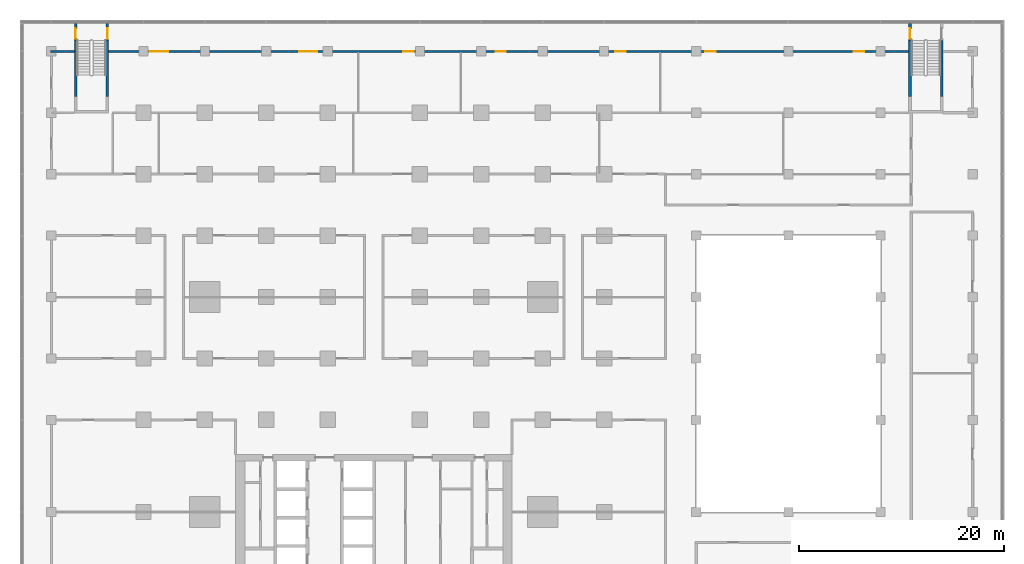
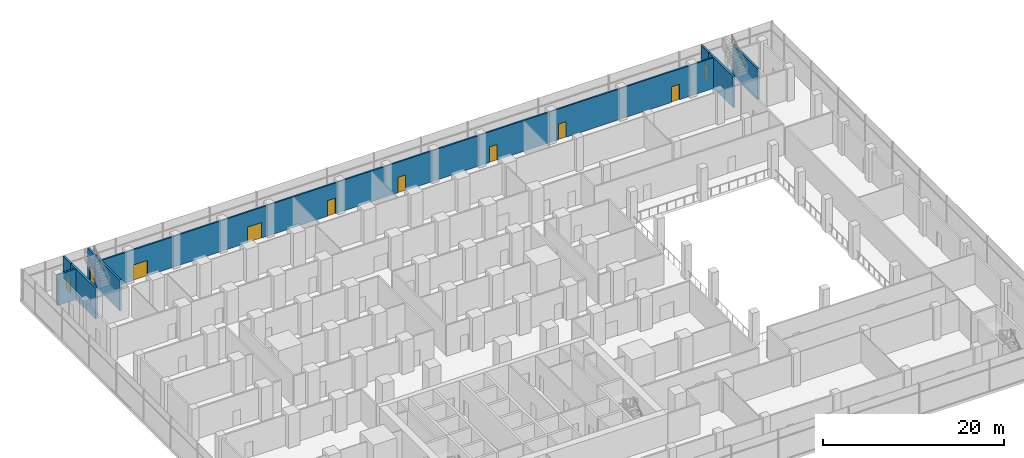
# One storey, part 18 of 22: 10 doors, 9 walls, 10 openings.
"""IFC4 building model written with IfcOpenShell, lengths in metres."""

from ifc_helpers import new_model, si_unit, direction, frame, frame_2d, origin, place, context, subcontext, project, spatial, rectangle, extrude, material, layer, layer_set, type_object, element, fill, save


model = new_model("IFC4")

# Units and contexts
model_context = context("Model", 3, precision=1e-05, world=origin(), true_north=direction((0.0, 1.0)))
body_context = subcontext(model_context, "Body", "Model", "MODEL_VIEW")
ifc_project = project(units=[si_unit("LENGTHUNIT", "METRE"), si_unit("AREAUNIT", "SQUARE_METRE"), si_unit("VOLUMEUNIT", "CUBIC_METRE"), si_unit("PLANEANGLEUNIT", "RADIAN"), si_unit("MASSUNIT", "GRAM", prefix="KILO")], contexts=[model_context])

# Site, building, storey
site_placement = place(None, origin())
site = spatial("IfcSite", under=ifc_project, at=site_placement, CompositionType="ELEMENT")
building_placement = place(site_placement, origin())
building = spatial("IfcBuilding", under=site, at=building_placement, Name="Finial Court Residences", CompositionType="ELEMENT")
storey_placement = place(building_placement, frame((0.0, 0.0, 23.5)))
storey = spatial("IfcBuildingStorey", under=building, at=storey_placement, Name="L04", CompositionType="ELEMENT", Elevation=23.5)

# Wall
ifc_material_1 = material(Name="Gypsum board")
ifc_layer_1 = layer(ifc_material_1, 0.02490234375)
ifc_material_2 = material(Name="Acoustic mineral wool in double frame")
ifc_layer_2 = layer(ifc_material_2, 0.14990234375)
ifc_layer_3 = layer(ifc_material_1, 0.02490234375)
ifc_layer_set_1 = layer_set([ifc_layer_1, ifc_layer_2, ifc_layer_3], Name="Corridor wall 200, 1 hour")
wall_type_1 = type_object("IfcWallType", Name="Corridor wall 200, 1 hour", PredefinedType="PARTITIONING", material=ifc_layer_set_1)
wall_1_placement = place(storey_placement, frame((-31.60009765625, 31.5, 0.0), z_axis=(0.0, 0.0, 1.0), x_axis=(1.0, 0.0, 0.0)))
element("IfcWall", 1, at=wall_1_placement, inside=storey, type_object=wall_type_1, Name="Partition L04-037", PredefinedType="PARTITIONING", context=body_context, shape_type="SweptSolid", body=[
    extrude(rectangle(XDim=2.35009765625, YDim=0.199951171875, at=frame_2d((1.175048828125, 0.0))), origin(), (0.0, 0.0, 1.0), 4.14990234375),
])

# Wall, openings, doors
wall_2_placement = place(storey_placement, frame((-25.89990234375, 31.5, 0.0), z_axis=(0.0, 0.0, 1.0), x_axis=(1.0, 0.0, 0.0)))
wall_2 = element("IfcWall", 2, at=wall_2_placement, inside=storey, type_object=wall_type_1, Name="Partition L04-038", PredefinedType="PARTITIONING", context=body_context, shape_type="SweptSolid", body=[
    extrude(rectangle(XDim=78.14990234375, YDim=0.199951171875, at=frame_2d((39.074951171875, 0.0))), origin(), (0.0, 0.0, 1.0), 4.14990234375),
])
opening_1_placement = place(wall_2_placement, frame((4.0, 0.0, 0.0)))
opening_1 = element("IfcOpeningElement", 3, at=opening_1_placement, cuts=wall_2, Name="Opening L04-D038", PredefinedType="OPENING", context=body_context, shape_type="SweptSolid", body=[
    extrude(rectangle(XDim=1.800048828125, YDim=2.10009765625, at=frame_2d((0.89990234375, 1.050048828125))), frame((0.0, 0.10986328125, 0.0), z_axis=(0.0, -1.0, 0.0), x_axis=(1.0, 0.0, 0.0)), (0.0, 0.0, 1.0), 0.219970703125),
])
opening_2_placement = place(wall_2_placement, frame((18.60009765625, 0.0, 0.0)))
opening_2 = element("IfcOpeningElement", 4, at=opening_2_placement, cuts=wall_2, Name="Opening L04-D039", PredefinedType="OPENING", context=body_context, shape_type="SweptSolid", body=[
    extrude(rectangle(XDim=1.800048828125, YDim=2.10009765625, at=frame_2d((0.89990234375, 1.050048828125))), frame((0.0, 0.10986328125, 0.0), z_axis=(0.0, -1.0, 0.0), x_axis=(1.0, 0.0, 0.0)), (0.0, 0.0, 1.0), 0.219970703125),
])
opening_3_placement = place(wall_2_placement, frame((28.800048828125, 0.0, 0.0)))
opening_3 = element("IfcOpeningElement", 5, at=opening_3_placement, cuts=wall_2, Name="Opening L04-D040", PredefinedType="OPENING", context=body_context, shape_type="SweptSolid", body=[
    extrude(rectangle(XDim=1.0, YDim=2.10009765625, at=frame_2d((0.5, 1.050048828125))), frame((0.0, 0.10986328125, 0.0), z_axis=(0.0, -1.0, 0.0), x_axis=(1.0, 0.0, 0.0)), (0.0, 0.0, 1.0), 0.219970703125),
])
opening_4_placement = place(wall_2_placement, frame((37.800048828125, 0.0, 0.0)))
opening_4 = element("IfcOpeningElement", 6, at=opening_4_placement, cuts=wall_2, Name="Opening L04-D041", PredefinedType="OPENING", context=body_context, shape_type="SweptSolid", body=[
    extrude(rectangle(XDim=1.0, YDim=2.10009765625, at=frame_2d((0.5, 1.050048828125))), frame((0.0, 0.10986328125, 0.0), z_axis=(0.0, -1.0, 0.0), x_axis=(1.0, 0.0, 0.0)), (0.0, 0.0, 1.0), 0.219970703125),
])
opening_5_placement = place(wall_2_placement, frame((49.5, 0.0, 0.0)))
opening_5 = element("IfcOpeningElement", 7, at=opening_5_placement, cuts=wall_2, Name="Opening L04-D042", PredefinedType="OPENING", context=body_context, shape_type="SweptSolid", body=[
    extrude(rectangle(XDim=1.0, YDim=2.10009765625, at=frame_2d((0.5, 1.050048828125))), frame((0.0, 0.10986328125, 0.0), z_axis=(0.0, -1.0, 0.0), x_axis=(1.0, 0.0, 0.0)), (0.0, 0.0, 1.0), 0.219970703125),
])
opening_6_placement = place(wall_2_placement, frame((58.300048828125, 0.0, 0.0)))
opening_6 = element("IfcOpeningElement", 8, at=opening_6_placement, cuts=wall_2, Name="Opening L04-D043", PredefinedType="OPENING", context=body_context, shape_type="SweptSolid", body=[
    extrude(rectangle(XDim=1.0, YDim=2.10009765625, at=frame_2d((0.5, 1.050048828125))), frame((0.0, 0.10986328125, 0.0), z_axis=(0.0, -1.0, 0.0), x_axis=(1.0, 0.0, 0.0)), (0.0, 0.0, 1.0), 0.219970703125),
])
opening_7_placement = place(wall_2_placement, frame((72.800048828125, 0.0, 0.0)))
opening_7 = element("IfcOpeningElement", 9, at=opening_7_placement, cuts=wall_2, Name="Opening L04-D044", PredefinedType="OPENING", context=body_context, shape_type="SweptSolid", body=[
    extrude(rectangle(XDim=1.0, YDim=2.10009765625, at=frame_2d((0.5, 1.050048828125))), frame((0.0, 0.10986328125, 0.0), z_axis=(0.0, -1.0, 0.0), x_axis=(1.0, 0.0, 0.0)), (0.0, 0.0, 1.0), 0.219970703125),
])
ifc_material_3 = material(Name="Timber door leaf in hollow metal frame", Category="wood")
door_type_1 = type_object("IfcDoorType", Name="Fire door set 1000 x 2100, 30 minutes", OperationType="SINGLE_SWING_LEFT", PredefinedType="DOOR", material=ifc_material_3)
door_1_placement = place(opening_3_placement, origin())
door_1 = element("IfcDoor", 10, at=door_1_placement, inside=storey, type_object=door_type_1, Name="Door L04-D040", OperationType="SINGLE_SWING_LEFT", OverallHeight=2.10009765625, OverallWidth=1.0, PredefinedType="DOOR", context=body_context, shape_type="SweptSolid", body=[
    extrude(rectangle(XDim=1.0, YDim=2.10009765625, at=frame_2d((0.5, 1.050048828125))), frame((0.0, 0.02490234375, 0.0), z_axis=(0.0, -1.0, 0.0), x_axis=(1.0, 0.0, 0.0)), (0.0, 0.0, 1.0), 0.050048828125),
])
fill(opening_3, door_1)
door_2_placement = place(opening_4_placement, origin())
door_2 = element("IfcDoor", 11, at=door_2_placement, inside=storey, type_object=door_type_1, Name="Door L04-D041", OperationType="SINGLE_SWING_LEFT", OverallHeight=2.10009765625, OverallWidth=1.0, PredefinedType="DOOR", context=body_context, shape_type="SweptSolid", body=[
    extrude(rectangle(XDim=1.0, YDim=2.10009765625, at=frame_2d((0.5, 1.050048828125))), frame((0.0, 0.02490234375, 0.0), z_axis=(0.0, -1.0, 0.0), x_axis=(1.0, 0.0, 0.0)), (0.0, 0.0, 1.0), 0.050048828125),
])
fill(opening_4, door_2)
door_3_placement = place(opening_5_placement, origin())
door_3 = element("IfcDoor", 12, at=door_3_placement, inside=storey, type_object=door_type_1, Name="Door L04-D042", OperationType="SINGLE_SWING_RIGHT", OverallHeight=2.10009765625, OverallWidth=1.0, PredefinedType="DOOR", context=body_context, shape_type="SweptSolid", body=[
    extrude(rectangle(XDim=1.0, YDim=2.10009765625, at=frame_2d((0.5, 1.050048828125))), frame((0.0, 0.02490234375, 0.0), z_axis=(0.0, -1.0, 0.0), x_axis=(1.0, 0.0, 0.0)), (0.0, 0.0, 1.0), 0.050048828125),
])
fill(opening_5, door_3)
door_4_placement = place(opening_6_placement, origin())
door_4 = element("IfcDoor", 13, at=door_4_placement, inside=storey, type_object=door_type_1, Name="Door L04-D043", OperationType="SINGLE_SWING_RIGHT", OverallHeight=2.10009765625, OverallWidth=1.0, PredefinedType="DOOR", context=body_context, shape_type="SweptSolid", body=[
    extrude(rectangle(XDim=1.0, YDim=2.10009765625, at=frame_2d((0.5, 1.050048828125))), frame((0.0, 0.02490234375, 0.0), z_axis=(0.0, -1.0, 0.0), x_axis=(1.0, 0.0, 0.0)), (0.0, 0.0, 1.0), 0.050048828125),
])
fill(opening_6, door_4)
door_5_placement = place(opening_7_placement, origin())
door_5 = element("IfcDoor", 14, at=door_5_placement, inside=storey, type_object=door_type_1, Name="Door L04-D044", OperationType="SINGLE_SWING_RIGHT", OverallHeight=2.10009765625, OverallWidth=1.0, PredefinedType="DOOR", context=body_context, shape_type="SweptSolid", body=[
    extrude(rectangle(XDim=1.0, YDim=2.10009765625, at=frame_2d((0.5, 1.050048828125))), frame((0.0, 0.02490234375, 0.0), z_axis=(0.0, -1.0, 0.0), x_axis=(1.0, 0.0, 0.0)), (0.0, 0.0, 1.0), 0.050048828125),
])
fill(opening_7, door_5)
door_type_2 = type_object("IfcDoorType", Name="Fire door set 1800 x 2100, 30 minutes", OperationType="DOUBLE_DOOR_SINGLE_SWING", PredefinedType="DOOR", material=ifc_material_3)
door_6_placement = place(opening_1_placement, origin())
door_6 = element("IfcDoor", 15, at=door_6_placement, inside=storey, type_object=door_type_2, Name="Door L04-D038", OperationType="DOUBLE_DOOR_SINGLE_SWING", OverallHeight=2.10009765625, OverallWidth=1.800048828125, PredefinedType="DOOR", context=body_context, shape_type="SweptSolid", body=[
    extrude(rectangle(XDim=1.800048828125, YDim=2.10009765625, at=frame_2d((0.89990234375, 1.050048828125))), frame((0.0, 0.02490234375, 0.0), z_axis=(0.0, -1.0, 0.0), x_axis=(1.0, 0.0, 0.0)), (0.0, 0.0, 1.0), 0.050048828125),
])
fill(opening_1, door_6)
door_7_placement = place(opening_2_placement, origin())
door_7 = element("IfcDoor", 16, at=door_7_placement, inside=storey, type_object=door_type_2, Name="Door L04-D039", OperationType="DOUBLE_DOOR_SINGLE_SWING", OverallHeight=2.10009765625, OverallWidth=1.800048828125, PredefinedType="DOOR", context=body_context, shape_type="SweptSolid", body=[
    extrude(rectangle(XDim=1.800048828125, YDim=2.10009765625, at=frame_2d((0.89990234375, 1.050048828125))), frame((0.0, 0.02490234375, 0.0), z_axis=(0.0, -1.0, 0.0), x_axis=(1.0, 0.0, 0.0)), (0.0, 0.0, 1.0), 0.050048828125),
])
fill(opening_2, door_7)

# Wall, opening, door
ifc_material_4 = material(Name="Concrete C50/60", Category="concrete")
ifc_layer_4 = layer(ifc_material_4, 0.25)
ifc_layer_set_2 = layer_set([ifc_layer_4], Name="Stair enclosure wall 250 Concrete C50/60")
wall_type_2 = type_object("IfcWallType", Name="Stair enclosure wall 250 Concrete C50/60", PredefinedType="SHEAR", material=ifc_layer_set_2)
wall_3_placement = place(storey_placement, frame((52.375, 34.239990234375, 0.0), z_axis=(0.0, 0.0, 1.0), x_axis=(0.0, -1.0, 0.0)))
wall_3 = element("IfcWall", 17, at=wall_3_placement, inside=storey, type_object=wall_type_2, Name="Exit Stair 5 enclosure wall L04-W1", PredefinedType="SHEAR", context=body_context, shape_type="SweptSolid", body=[
    extrude(rectangle(XDim=1.68994140625, YDim=0.25, at=frame_2d((0.844970703125, 0.0))), origin(), (0.0, 0.0, 1.0), 4.14990234375),
])
opening_8_placement = place(wall_3_placement, frame((0.489990234375, 0.0, 0.0)))
opening_8 = element("IfcOpeningElement", 18, at=opening_8_placement, cuts=wall_3, Name="Opening L04-S5", PredefinedType="OPENING", context=body_context, shape_type="SweptSolid", body=[
    extrude(rectangle(XDim=1.0, YDim=2.10009765625, at=frame_2d((0.5, 1.050048828125))), frame((0.0, 0.135009765625, 0.0), z_axis=(0.0, -1.0, 0.0), x_axis=(1.0, 0.0, 0.0)), (0.0, 0.0, 1.0), 0.27001953125),
])
ifc_material_5 = material(Name="Steel fire door", Category="steel")
door_type_3 = type_object("IfcDoorType", Name="Stair door 1000 x 2100 EI 90", OperationType="NOTDEFINED", PredefinedType="DOOR", material=ifc_material_5)
door_8_placement = place(opening_8_placement, origin())
door_8 = element("IfcDoor", 19, at=door_8_placement, inside=storey, type_object=door_type_3, Name="Exit Stair 5 door L04", OperationType="SINGLE_SWING_LEFT", OverallHeight=2.10009765625, OverallWidth=1.0, PredefinedType="DOOR", context=body_context, shape_type="SweptSolid", body=[
    extrude(rectangle(XDim=1.0, YDim=2.10009765625, at=frame_2d((0.5, 1.050048828125))), frame((0.0, 0.02490234375, 0.0), z_axis=(0.0, -1.0, 0.0), x_axis=(1.0, 0.0, 0.0)), (0.0, 0.0, 1.0), 0.050048828125),
])
fill(opening_8, door_8)

# Walls
for number, where, z_axis, x_axis, name in (
    (20, (52.375, 27.070068359375, 0.0), (0.0, 0.0, 1.0), (0.0, 1.0, 0.0), "Exit Stair 5 enclosure wall L04-W2"),
    (21, (55.47509765625, 27.070068359375, 0.0), (0.0, 0.0, 1.0), (0.0, 1.0, 0.0), "Exit Stair 5 enclosure wall L04-E2"),
):
    element("IfcWall", number, at=place(storey_placement, frame(where, z_axis=z_axis, x_axis=x_axis)), inside=storey, type_object=wall_type_2, Name=name, PredefinedType="SHEAR", context=body_context, shape_type="SweptSolid", body=[
        extrude(rectangle(XDim=5.47998046875, YDim=0.25, at=frame_2d((2.739990234375, 0.0))), origin(), (0.0, 0.0, 1.0), 4.14990234375),
    ])

# Wall, opening, door
wall_4_placement = place(storey_placement, frame((-29.125, 34.239990234375, 0.0), z_axis=(0.0, 0.0, 1.0), x_axis=(0.0, -1.0, 0.0)))
wall_4 = element("IfcWall", 22, at=wall_4_placement, inside=storey, type_object=wall_type_2, Name="Exit Stair 6 enclosure wall L04-W1", PredefinedType="SHEAR", context=body_context, shape_type="SweptSolid", body=[
    extrude(rectangle(XDim=1.68994140625, YDim=0.25, at=frame_2d((0.844970703125, 0.0))), origin(), (0.0, 0.0, 1.0), 4.14990234375),
])
opening_9_placement = place(wall_4_placement, frame((0.489990234375, 0.0, 0.0)))
opening_9 = element("IfcOpeningElement", 23, at=opening_9_placement, cuts=wall_4, Name="Opening L04-S6", PredefinedType="OPENING", context=body_context, shape_type="SweptSolid", body=[
    extrude(rectangle(XDim=1.0, YDim=2.10009765625, at=frame_2d((0.5, 1.050048828125))), frame((0.0, 0.135009765625, 0.0), z_axis=(0.0, -1.0, 0.0), x_axis=(1.0, 0.0, 0.0)), (0.0, 0.0, 1.0), 0.27001953125),
])
door_9_placement = place(opening_9_placement, origin())
door_9 = element("IfcDoor", 24, at=door_9_placement, inside=storey, type_object=door_type_3, Name="Exit Stair 6 door L04", OperationType="SINGLE_SWING_LEFT", OverallHeight=2.10009765625, OverallWidth=1.0, PredefinedType="DOOR", context=body_context, shape_type="SweptSolid", body=[
    extrude(rectangle(XDim=1.0, YDim=2.10009765625, at=frame_2d((0.5, 1.050048828125))), frame((0.0, 0.02490234375, 0.0), z_axis=(0.0, -1.0, 0.0), x_axis=(1.0, 0.0, 0.0)), (0.0, 0.0, 1.0), 0.050048828125),
])
fill(opening_9, door_9)

# Wall
wall_5_placement = place(storey_placement, frame((-29.125, 27.070068359375, 0.0), z_axis=(0.0, 0.0, 1.0), x_axis=(0.0, 1.0, 0.0)))
element("IfcWall", 25, at=wall_5_placement, inside=storey, type_object=wall_type_2, Name="Exit Stair 6 enclosure wall L04-W2", PredefinedType="SHEAR", context=body_context, shape_type="SweptSolid", body=[
    extrude(rectangle(XDim=5.47998046875, YDim=0.25, at=frame_2d((2.739990234375, 0.0))), origin(), (0.0, 0.0, 1.0), 4.14990234375),
])

# Wall, opening, door
wall_6_placement = place(storey_placement, frame((-26.02490234375, 32.550048828125, 0.0), z_axis=(0.0, 0.0, 1.0), x_axis=(0.0, 1.0, 0.0)))
wall_6 = element("IfcWall", 26, at=wall_6_placement, inside=storey, type_object=wall_type_2, Name="Exit Stair 6 enclosure wall L04-E1", PredefinedType="SHEAR", context=body_context, shape_type="SweptSolid", body=[
    extrude(rectangle(XDim=1.68994140625, YDim=0.25, at=frame_2d((0.844970703125, 0.0))), origin(), (0.0, 0.0, 1.0), 4.14990234375),
])
opening_10_placement = place(wall_6_placement, frame((0.199951171875, 0.0, 0.0)))
opening_10 = element("IfcOpeningElement", 27, at=opening_10_placement, cuts=wall_6, Name="Opening L04-S6E", PredefinedType="OPENING", context=body_context, shape_type="SweptSolid", body=[
    extrude(rectangle(XDim=1.0, YDim=2.10009765625, at=frame_2d((0.5, 1.050048828125))), frame((0.0, 0.135009765625, 0.0), z_axis=(0.0, -1.0, 0.0), x_axis=(1.0, 0.0, 0.0)), (0.0, 0.0, 1.0), 0.27001953125),
])
door_10_placement = place(opening_10_placement, origin())
door_10 = element("IfcDoor", 28, at=door_10_placement, inside=storey, type_object=door_type_3, Name="Exit Stair 6 east door L04", OperationType="SINGLE_SWING_RIGHT", OverallHeight=2.10009765625, OverallWidth=1.0, PredefinedType="DOOR", context=body_context, shape_type="SweptSolid", body=[
    extrude(rectangle(XDim=1.0, YDim=2.10009765625, at=frame_2d((0.5, 1.050048828125))), frame((0.0, 0.02490234375, 0.0), z_axis=(0.0, -1.0, 0.0), x_axis=(1.0, 0.0, 0.0)), (0.0, 0.0, 1.0), 0.050048828125),
])
fill(opening_10, door_10)

# Wall
wall_7_placement = place(storey_placement, frame((-26.02490234375, 27.070068359375, 0.0), z_axis=(0.0, 0.0, 1.0), x_axis=(0.0, 1.0, 0.0)))
element("IfcWall", 29, at=wall_7_placement, inside=storey, type_object=wall_type_2, Name="Exit Stair 6 enclosure wall L04-E2", PredefinedType="SHEAR", context=body_context, shape_type="SweptSolid", body=[
    extrude(rectangle(XDim=5.47998046875, YDim=0.25, at=frame_2d((2.739990234375, 0.0))), origin(), (0.0, 0.0, 1.0), 4.14990234375),
])

save(model, "model.ifc")
